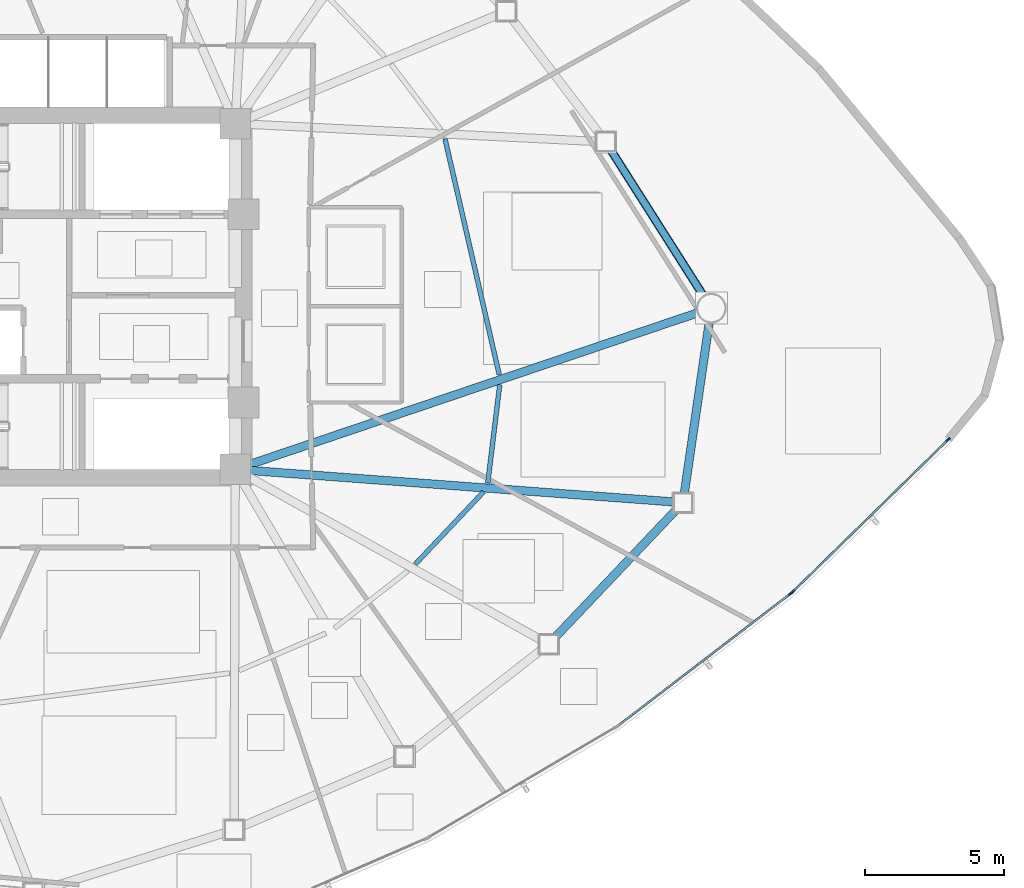
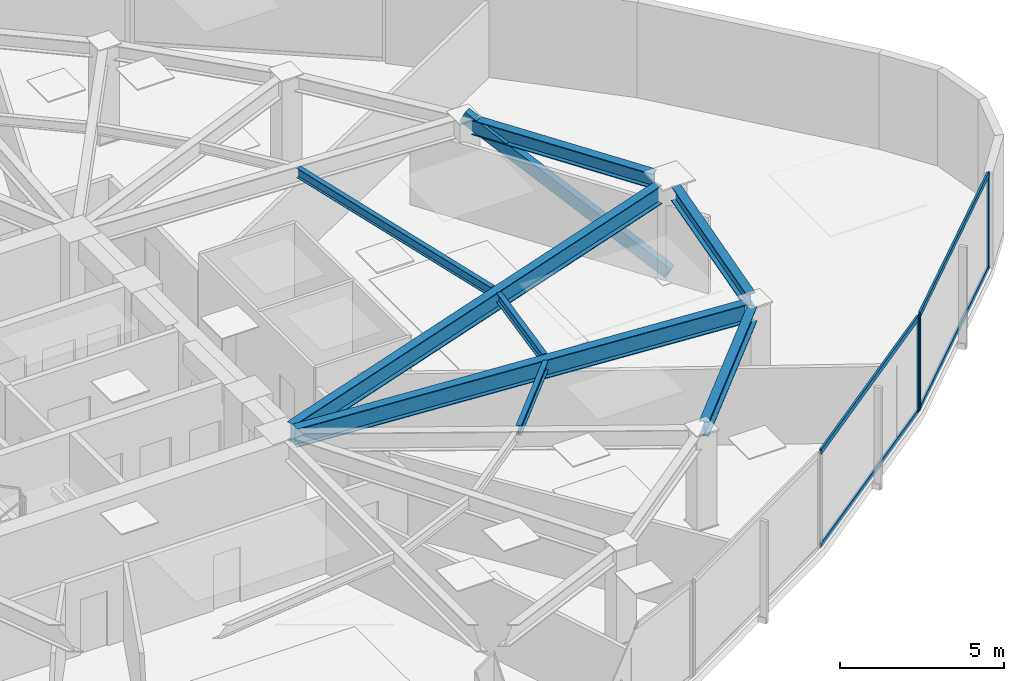
# One storey, part 6 of 18: 8 beams, 8 members, 2 elements without a shape of their own.
"""IFC4 building model written with IfcOpenShell, lengths in metres."""

import ifcopenshell
import ifcopenshell.guid

model = None  # the IFC model being written
_history = None  # IfcOwnerHistory: only IFC2X3 demands one
_inside = {}  # id of a spatial element -> (the spatial element, [elements in it])
_under = {}  # id of a project, library or spatial element -> (it, [spatial elements below it])
_declared = {}  # id of a project -> (the project, [libraries it declares])
_typed = {}  # id of a type object -> (the type object, [elements of that type])
_made_of = {}  # id of a material, layer set ... -> (it, [elements and type objects made of it])


def new_model(schema):
    """Start an empty IFC model of exactly this schema.

    Asked for "IFC4X3", IfcOpenShell would pick the latest addendum, in which some entities
    have other attributes; the version numbers below select the first issue.
    IFC2X3 requires an IfcOwnerHistory on every rooted entity: one is made here for all.
    """
    global model, _history
    if schema == "IFC4X3":
        model = ifcopenshell.file(schema_version=(4, 3, 0, 0))
    else:
        model = ifcopenshell.file(schema=schema)
    _inside.clear()
    _under.clear()
    _declared.clear()
    _typed.clear()
    _made_of.clear()
    _history = None
    if model.schema == "IFC2X3":
        org = make("IfcOrganization", Name="unknown")
        user = make(
            "IfcPersonAndOrganization",
            ThePerson=make("IfcPerson", FamilyName="unknown"),
            TheOrganization=org,
        )
        app = make(
            "IfcApplication",
            ApplicationDeveloper=org,
            Version="unknown",
            ApplicationFullName="unknown",
            ApplicationIdentifier="unknown",
        )
        _history = make(
            "IfcOwnerHistory",
            OwningUser=user,
            OwningApplication=app,
            ChangeAction="ADDED",
            CreationDate=0,
        )
    return model


def make(cls, **values):
    """One entity of the class cls with the attributes given. An attribute that is None is left unset."""
    return model.create_entity(
        cls, **{name: value for name, value in values.items() if value is not None}
    )


def rooted(cls, **values):
    """An entity with a GlobalId (a new one), such as an element, a storey or a relation."""
    return make(cls, GlobalId=ifcopenshell.guid.new(), OwnerHistory=_history, **values)


def si_unit(unit_type, name, prefix=None):
    """IfcSIUnit, for example si_unit("LENGTHUNIT", "METRE", prefix="MILLI")."""
    return make("IfcSIUnit", UnitType=unit_type, Prefix=prefix, Name=name)


def assignment(units):
    """IfcUnitAssignment: the units of a project."""
    return None if units is None else make("IfcUnitAssignment", Units=units)


def point(xyz):
    """IfcCartesianPoint."""
    return None if xyz is None else make("IfcCartesianPoint", Coordinates=xyz)


def direction(xyz):
    """IfcDirection."""
    return None if xyz is None else make("IfcDirection", DirectionRatios=xyz)


def frame(location, z_axis=None, x_axis=None):
    """IfcAxis2Placement3D, a coordinate frame: its origin and axes. An axis left out is left unset."""
    return make(
        "IfcAxis2Placement3D",
        Location=point(location),
        Axis=direction(z_axis),
        RefDirection=direction(x_axis),
    )


def frame_2d(location, x_axis=None):
    """IfcAxis2Placement2D, a coordinate frame in the plane: its origin and x axis."""
    return make(
        "IfcAxis2Placement2D", Location=point(location), RefDirection=direction(x_axis)
    )


def origin():
    """The frame at (0, 0, 0) with its axes left unset."""
    return frame((0.0, 0.0, 0.0))


def origin_2d():
    """The frame at (0, 0) in the plane with its x axis left unset."""
    return frame_2d((0.0, 0.0))


def place(relative_to, where):
    """IfcLocalPlacement: puts the frame where relative to a parent placement (None: the world)."""
    return make(
        "IfcLocalPlacement", PlacementRelTo=relative_to, RelativePlacement=where
    )


def context(
    kind, dimensions, precision=None, world=None, true_north=None, identifier=None
):
    """IfcGeometricRepresentationContext, for example the 3D "Model" context."""
    return make(
        "IfcGeometricRepresentationContext",
        ContextIdentifier=identifier,
        ContextType=kind,
        CoordinateSpaceDimension=dimensions,
        Precision=precision,
        WorldCoordinateSystem=world,
        TrueNorth=true_north,
    )


def subcontext(parent, identifier, kind, view, scale=None):
    """IfcGeometricRepresentationSubContext, for example "Body" below "Model"."""
    return make(
        "IfcGeometricRepresentationSubContext",
        ContextIdentifier=identifier,
        ContextType=kind,
        ParentContext=parent,
        TargetScale=scale,
        TargetView=view,
    )


def project(units=None, contexts=None):
    """IfcProject with its units and contexts."""
    return rooted(
        "IfcProject",
        Name="project",
        RepresentationContexts=contexts,
        UnitsInContext=assignment(units),
    )


def spatial(cls, under=None, at=None, **own):
    """A site, building, storey or space (cls), placed at a placement, below another one or the project."""
    s = rooted(cls, ObjectPlacement=at, **own)
    if under is not None:
        _under.setdefault(under.id(), (under, []))[1].append(s)
    return s


def profile(cls, at=None, kind="AREA", **sizes):
    """A parametric profile (cls). Its sizes go by their IFC names, for example OverallWidth=200.0."""
    return make(cls, ProfileType=kind, Position=at, **sizes)


def hollow_rectangle(**sizes):
    """IfcRectangleHollowProfileDef."""
    return profile("IfcRectangleHollowProfileDef", **sizes)


def i_section(**sizes):
    """IfcIShapeProfileDef."""
    return profile("IfcIShapeProfileDef", **sizes)


def extrude(swept, where, along, depth):
    """IfcExtrudedAreaSolid: the profile swept, set in the frame where, extruded along a direction by depth."""
    return make(
        "IfcExtrudedAreaSolid",
        SweptArea=swept,
        Position=where,
        ExtrudedDirection=direction(along),
        Depth=depth,
    )


def shape(context_of_items, identifier, shape_type, items):
    """IfcShapeRepresentation: the items that make up one representation, for example the "Body"."""
    return make(
        "IfcShapeRepresentation",
        ContextOfItems=context_of_items,
        RepresentationIdentifier=identifier,
        RepresentationType=shape_type,
        Items=items,
    )


def source(mapping_origin, context_of_items, identifier, shape_type, items):
    """IfcRepresentationMap: a shape defined once, which mapped items show again and again."""
    return make(
        "IfcRepresentationMap",
        MappingOrigin=mapping_origin,
        MappedRepresentation=shape(context_of_items, identifier, shape_type, items),
    )


def transform(
    local_origin,
    x_axis=None,
    y_axis=None,
    z_axis=None,
    scale=None,
    scale2=None,
    scale3=None,
    uniform=True,
):
    """IfcCartesianTransformationOperator3D, or its non-uniform kind. x_axis, y_axis, z_axis: its Axis1, 2, 3."""
    if uniform:
        return make(
            "IfcCartesianTransformationOperator3D",
            Axis1=direction(x_axis),
            Axis2=direction(y_axis),
            LocalOrigin=point(local_origin),
            Scale=scale,
            Axis3=direction(z_axis),
        )
    return make(
        "IfcCartesianTransformationOperator3DnonUniform",
        Axis1=direction(x_axis),
        Axis2=direction(y_axis),
        LocalOrigin=point(local_origin),
        Scale=scale,
        Axis3=direction(z_axis),
        Scale2=scale2,
        Scale3=scale3,
    )


def mapped(mapping_source, mapping_target):
    """IfcMappedItem: shows the shape of a source again, moved by a transform."""
    return make(
        "IfcMappedItem", MappingSource=mapping_source, MappingTarget=mapping_target
    )


def material(Name=None, Category=None):
    """IfcMaterial."""
    return make("IfcMaterial", Name=Name, Category=Category)


def layer(
    of_material, thickness, ventilated=None, Name=None, Category=None, Priority=None
):
    """IfcMaterialLayer: one layer of a wall or slab, of a material (None: an air gap)."""
    return make(
        "IfcMaterialLayer",
        Material=of_material,
        LayerThickness=thickness,
        IsVentilated=ventilated,
        Name=Name,
        Category=Category,
        Priority=Priority,
    )


def layer_set(layers, Name=None):
    """IfcMaterialLayerSet."""
    return make("IfcMaterialLayerSet", MaterialLayers=layers, LayerSetName=Name)


def material_profile(
    of_material, cross_section, Name=None, Category=None, Priority=None
):
    """IfcMaterialProfile: a cross section and its material."""
    return make(
        "IfcMaterialProfile",
        Name=Name,
        Material=of_material,
        Profile=cross_section,
        Priority=Priority,
        Category=Category,
    )


def profile_set(profiles, Name=None, composite=None):
    """IfcMaterialProfileSet."""
    return make(
        "IfcMaterialProfileSet",
        Name=Name,
        MaterialProfiles=profiles,
        CompositeProfile=composite,
    )


def made_of(thing, what):
    """Note that an element or type object is made of a material, layer set ...; save() writes the relation."""
    if what is not None:
        _made_of.setdefault(what.id(), (what, []))[1].append(thing)
    return thing


def type_object(cls, material=None, **own):
    """A type object (cls), such as IfcWallType, which elements share."""
    return made_of(rooted(cls, **own), material)


def type_shapes(of_type, sources):
    """Give a type object the sources (RepresentationMaps) that its elements show as mapped items."""
    of_type.RepresentationMaps = sources


def element(
    cls,
    number,
    at=None,
    inside=None,
    cuts=None,
    type_object=None,
    material=None,
    context=None,
    identifier="Body",
    shape_type=None,
    held_by="IfcProductDefinitionShape",
    body=None,
    shapes=None,
    **own,
):
    """One element of the class cls, such as IfcWall. Its Tag is "e" and its number.

    at: its placement. inside: the storey or other place that contains it. cuts: it is an
    opening in that element (IfcRelVoidsElement). A single representation is given by context,
    identifier, shape_type and body (its items); several are given by shapes. held_by: the class
    of the entity that holds the representations. save() writes the other relations.
    """
    e = rooted(cls, Tag="e%d" % number, ObjectPlacement=at, **own)
    if body is not None:
        shapes = [shape(context, identifier, shape_type, body)]
    if shapes is not None:
        e.Representation = make(held_by, Representations=shapes)
    if inside is not None:
        _inside.setdefault(inside.id(), (inside, []))[1].append(e)
    if cuts is not None:
        rooted(
            "IfcRelVoidsElement", RelatingBuildingElement=cuts, RelatedOpeningElement=e
        )
    if type_object is not None:
        _typed.setdefault(type_object.id(), (type_object, []))[1].append(e)
    return made_of(e, material)


def aggregate(whole, parts):
    """IfcRelAggregates: a whole, such as a stair, and the parts it consists of."""
    return rooted("IfcRelAggregates", RelatingObject=whole, RelatedObjects=parts)


def save(model, path):
    """Write the relations noted so far, then the file.

    IfcRelAggregates (storeys below a building ...), IfcRelContainedInSpatialStructure (elements
    in a storey), IfcRelDefinesByType, IfcRelAssociatesMaterial and IfcRelDeclares: one each for
    every whole, place, type object, material and project.
    """
    for whole, parts in _under.values():
        aggregate(whole, parts)
    for where, things in _inside.values():
        rooted(
            "IfcRelContainedInSpatialStructure",
            RelatedElements=things,
            RelatingStructure=where,
        )
    for kind, things in _typed.values():
        rooted("IfcRelDefinesByType", RelatedObjects=things, RelatingType=kind)
    for what, things in _made_of.values():
        rooted("IfcRelAssociatesMaterial", RelatedObjects=things, RelatingMaterial=what)
    for by, libraries in _declared.values():
        rooted("IfcRelDeclares", RelatingContext=by, RelatedDefinitions=libraries)
    model.write(path)


model = new_model("IFC4")

# Units and contexts
model_context = context("Model", 3, precision=1e-05, world=origin(), true_north=direction((0.0, 1.0)))
body_context = subcontext(model_context, "Body", "Model", "MODEL_VIEW")
ifc_project = project(units=[si_unit("LENGTHUNIT", "METRE"), si_unit("AREAUNIT", "SQUARE_METRE"), si_unit("VOLUMEUNIT", "CUBIC_METRE"), si_unit("PLANEANGLEUNIT", "RADIAN"), si_unit("MASSUNIT", "GRAM", prefix="KILO")], contexts=[model_context])

# Site, building, storey
site_placement = place(None, origin())
site = spatial("IfcSite", under=ifc_project, at=site_placement, CompositionType="ELEMENT")
building_placement = place(site_placement, origin())
building = spatial("IfcBuilding", under=site, at=building_placement, Name="Tavelor Broadcast Tower", CompositionType="ELEMENT")
storey_placement = place(building_placement, frame((0.0, 0.0, 146.39990234375)))
storey = spatial("IfcBuildingStorey", under=building, at=storey_placement, Name="L34", CompositionType="ELEMENT", Elevation=146.39990234375)

# Beams
ifc_material_1 = material(Name="Steel S355", Category="steel")
ifc_material_profile_1 = material_profile(ifc_material_1, i_section(OverallWidth=0.169921875, OverallDepth=0.360107421875, WebThickness=0.008056640625, FlangeThickness=0.0126953125, at=origin_2d()), Name="IPE 360")
ifc_profile_set_1 = profile_set([ifc_material_profile_1], Name="Steel S355")
beam_type_1 = type_object("IfcBeamType", Name="Composite Floor Joist T3 IPE 360", PredefinedType="JOIST", material=ifc_profile_set_1)
beam_1_placement = place(storey_placement, frame((63.05859375, 35.39990234375, 3.3701171875), z_axis=(0.686806065531, 0.726840717317, 0.0), x_axis=(-0.726840717317, 0.686806065531, 0.0)))
element("IfcBeam", 1, at=beam_1_placement, inside=storey, type_object=beam_type_1, Name="L34 Secondary Composite Floor Joist 11", PredefinedType="JOIST", context=body_context, shape_type="SweptSolid", body=[
    extrude(i_section(OverallWidth=0.169921875, OverallDepth=0.360107421875, WebThickness=0.008056640625, FlangeThickness=0.0126953125, at=origin_2d()), origin(), (0.0, 0.0, 1.0), 3.573486328125),
])
beam_2_placement = place(storey_placement, frame((65.6591796875, 38.30859375, 3.3701171875), z_axis=(0.120874566199, 0.992667788964, 0.0), x_axis=(-0.992667788964, 0.120874566199, 0.0)))
element("IfcBeam", 2, at=beam_2_placement, inside=storey, type_object=beam_type_1, Name="L34 Secondary Composite Floor Joist 12", PredefinedType="JOIST", context=body_context, shape_type="SweptSolid", body=[
    extrude(i_section(OverallWidth=0.169921875, OverallDepth=0.360107421875, WebThickness=0.008056640625, FlangeThickness=0.0126953125, at=origin_2d()), origin(), (0.0, 0.0, 1.0), 3.556884765625),
])
beam_3_placement = place(storey_placement, frame((66.0703125, 42.1953125, 3.3701171875), z_axis=(-0.224119909946, 0.974561576282, 0.0), x_axis=(-0.974561576282, -0.224119909946, 0.0)))
element("IfcBeam", 3, at=beam_3_placement, inside=storey, type_object=beam_type_1, Name="L34 Secondary Composite Floor Joist 13", PredefinedType="JOIST", context=body_context, shape_type="SweptSolid", body=[
    extrude(i_section(OverallWidth=0.169921875, OverallDepth=0.360107421875, WebThickness=0.008056640625, FlangeThickness=0.0126953125, at=origin_2d()), origin(), (0.0, 0.0, 1.0), 8.6796875),
])
ifc_material_profile_2 = material_profile(ifc_material_1, i_section(OverallWidth=0.300048828125, OverallDepth=0.550048828125, WebThickness=0.014892578125, FlangeThickness=0.029052734375, at=origin_2d()), Name="HEB 550")
ifc_profile_set_2 = profile_set([ifc_material_profile_2], Name="Steel S355")
beam_type_2 = type_object("IfcBeamType", Name="Perimeter Spandrel Beam T3 HEB 550", PredefinedType="SPANDREL", material=ifc_profile_set_2)
beam_4_placement = place(storey_placement, frame((68.073486328125, 32.775390625, 3.275146484375), z_axis=(0.688378130541, 0.72535201757, 0.0), x_axis=(-0.72535201757, 0.688378130541, 0.0)))
element("IfcBeam", 4, at=beam_4_placement, inside=storey, type_object=beam_type_2, Name="L34 Framed-Tube Ring Spandrel 11", PredefinedType="SPANDREL", context=body_context, shape_type="SweptSolid", body=[
    extrude(i_section(OverallWidth=0.300048828125, OverallDepth=0.550048828125, WebThickness=0.014892578125, FlangeThickness=0.029052734375, at=origin_2d()), origin(), (0.0, 0.0, 1.0), 6.32568359375),
])
beam_5_placement = place(storey_placement, frame((72.707763671875, 37.93994140625, 3.275146484375), z_axis=(0.144294035731, 0.989534856007, 0.0), x_axis=(-0.989534856007, 0.144294035731, 0.0)))
element("IfcBeam", 5, at=beam_5_placement, inside=storey, type_object=beam_type_2, Name="L34 Framed-Tube Ring Spandrel 12", PredefinedType="SPANDREL", context=body_context, shape_type="SweptSolid", body=[
    extrude(i_section(OverallWidth=0.300048828125, OverallDepth=0.550048828125, WebThickness=0.014892578125, FlangeThickness=0.029052734375, at=origin_2d()), origin(), (0.0, 0.0, 1.0), 6.19775390625),
])
beam_6_placement = place(storey_placement, frame((73.4013671875, 45.01171875, 3.275146484375), z_axis=(-0.536283466807, 0.844037939449, 0.0), x_axis=(-0.844037939449, -0.536283466807, 0.0)))
element("IfcBeam", 6, at=beam_6_placement, inside=storey, type_object=beam_type_2, Name="L34 Framed-Tube Ring Spandrel 13", PredefinedType="SPANDREL", context=body_context, shape_type="SweptSolid", body=[
    extrude(i_section(OverallWidth=0.300048828125, OverallDepth=0.550048828125, WebThickness=0.014892578125, FlangeThickness=0.029052734375, at=origin_2d()), origin(), (0.0, 0.0, 1.0), 6.21875),
])

# Member
ifc_material_profile_3 = material_profile(ifc_material_1, hollow_rectangle(XDim=0.25, YDim=0.449951171875, WallThickness=0.02001953125, at=origin_2d()), Name="RHS 450x250x20")
ifc_profile_set_3 = profile_set([ifc_material_profile_3], Name="Steel S355")
member_type_1 = type_object("IfcMemberType", Name="Perimeter Tube Brace T3 RHS 450x250x20", PredefinedType="BRACE", material=ifc_profile_set_3)
member_1_placement = place(storey_placement, frame((73.676025390625, 44.57958984375, 0.0), z_axis=(-0.479238755177, 0.754205232397, 0.448892729904), x_axis=(-0.844021198089, -0.536309814544, 0.0)))
element("IfcMember", 7, at=member_1_placement, inside=storey, type_object=member_type_1, Name="L34 Corner Tube Diagonal Brace 3", PredefinedType="BRACE", context=body_context, shape_type="SweptSolid", body=[
    extrude(hollow_rectangle(XDim=0.25, YDim=0.449951171875, WallThickness=0.02001953125, at=origin_2d()), origin(), (0.0, 0.0, 1.0), 7.908447265625),
])

# Beams
ifc_material_profile_4 = material_profile(ifc_material_1, i_section(OverallWidth=0.300048828125, OverallDepth=0.68994140625, WebThickness=0.014404296875, FlangeThickness=0.027099609375, at=origin_2d()), Name="HEA 700")
ifc_profile_set_4 = profile_set([ifc_material_profile_4], Name="Steel S355")
beam_type_3 = type_object("IfcBeamType", Name="Radial Floor Girder T3 HEA 700", PredefinedType="BEAM", material=ifc_profile_set_4)
beam_7_placement = place(storey_placement, frame((57.126708984375, 38.760986328125, 3.205078125), z_axis=(0.997253617312, -0.074062289721, 0.0), x_axis=(0.074062289721, 0.997253617312, 0.0)))
element("IfcBeam", 8, at=beam_7_placement, inside=storey, type_object=beam_type_3, Name="L34 Radial Primary Floor Girder 12", PredefinedType="BEAM", context=body_context, shape_type="SweptSolid", body=[
    extrude(i_section(OverallWidth=0.300048828125, OverallDepth=0.68994140625, WebThickness=0.014404296875, FlangeThickness=0.027099609375, at=origin_2d()), origin(), (0.0, 0.0, 1.0), 15.2392578125),
])
beam_8_placement = place(storey_placement, frame((57.10009765625, 38.96923828125, 3.205078125), z_axis=(0.947217379582, 0.32059200835, 0.0), x_axis=(-0.32059200835, 0.947217379582, 0.0)))
element("IfcBeam", 9, at=beam_8_placement, inside=storey, type_object=beam_type_3, Name="L34 Radial Primary Floor Girder 13", PredefinedType="BEAM", context=body_context, shape_type="SweptSolid", body=[
    extrude(i_section(OverallWidth=0.300048828125, OverallDepth=0.68994140625, WebThickness=0.014404296875, FlangeThickness=0.027099609375, at=origin_2d()), origin(), (0.0, 0.0, 1.0), 16.987548828125),
])

# Curtain wall, member
ifc_material_2 = material(Name="Architectural Anodized Aluminium", Category="aluminium")
ifc_layer = layer(ifc_material_2, 0.18994140625)
ifc_layer_set = layer_set([ifc_layer], Name="Architectural Anodized Aluminium")
curtain_wall_type = type_object("IfcCurtainWallType", Name="Tower Mid-Zone Acoustic Curtain Wall CW03", PredefinedType="NOTDEFINED", material=ifc_layer_set)
curtain_wall_1_placement = place(storey_placement, origin())
curtain_wall_1 = element("IfcCurtainWall", 10, at=curtain_wall_1_placement, inside=storey, type_object=curtain_wall_type, Name="L34 Curtain Wall CW03 Run 355", PredefinedType="NOTDEFINED")
ifc_material_profile_5 = material_profile(ifc_material_2, hollow_rectangle(XDim=0.068115234375, YDim=0.18994140625, WallThickness=0.02197265625, at=origin_2d()), Name="RHS 68x190x22")
ifc_profile_set_5 = profile_set([ifc_material_profile_5], Name="Architectural Anodized Aluminium")
member_type_2 = type_object("IfcMemberType", Name="CW03 Extruded Aluminium Mullion 68x190", PredefinedType="MULLION", material=ifc_profile_set_5)
shared_shape_1 = source(origin(), body_context, "Body", "SweptSolid", [
    extrude(hollow_rectangle(XDim=0.068115234375, YDim=0.18994140625, WallThickness=0.02197265625, at=origin_2d()), origin(), (0.0, 0.0, 1.0), 3.550048828125),
])
type_shapes(member_type_2, [shared_shape_1])
member_2_placement = place(storey_placement, frame((76.514404296875, 34.341064453125, 0.0), z_axis=(0.0, 0.0, 1.0), x_axis=(-0.607726021171, 0.794146764264, 0.0)))
member_2 = element("IfcMember", 11, at=member_2_placement, type_object=member_type_2, Name="CW03 mullion 2", PredefinedType="MULLION", context=body_context, shape_type="MappedRepresentation", body=[
    mapped(shared_shape_1, transform((0.0, 0.0, 0.0), scale=1.0)),
])

# Curtain wall, members
curtain_wall_2_placement = place(storey_placement, origin())
curtain_wall_2 = element("IfcCurtainWall", 12, at=curtain_wall_2_placement, inside=storey, type_object=curtain_wall_type, Name="L34 Curtain Wall CW03 Run 356", PredefinedType="NOTDEFINED")
member_3_placement = place(storey_placement, frame((76.58837890625, 34.4052734375, 0.0), z_axis=(0.0, 0.0, 1.0), x_axis=(-0.699365985174, 0.714763750327, 0.0)))
member_3 = element("IfcMember", 13, at=member_3_placement, type_object=member_type_2, Name="CW03 mullion 1", PredefinedType="MULLION", context=body_context, shape_type="MappedRepresentation", body=[
    mapped(shared_shape_1, transform((0.0, 0.0, 0.0), scale=1.0)),
])
member_4_placement = place(storey_placement, frame((82.165771484375, 39.862548828125, 0.0), z_axis=(0.0, 0.0, 1.0), x_axis=(-0.699365985174, 0.714763750327, 0.0)))
member_4 = element("IfcMember", 14, at=member_4_placement, type_object=member_type_2, Name="CW03 mullion 2", PredefinedType="MULLION", context=body_context, shape_type="MappedRepresentation", body=[
    mapped(shared_shape_1, transform((0.0, 0.0, 0.0), scale=1.0)),
])

# Member
ifc_material_profile_6 = material_profile(ifc_material_2, hollow_rectangle(XDim=0.068115234375, YDim=0.18994140625, WallThickness=0.02197265625, at=origin_2d()), Name="RHS 68x190x22")
ifc_profile_set_6 = profile_set([ifc_material_profile_6], Name="Architectural Anodized Aluminium")
member_type_3 = type_object("IfcMemberType", Name="CW03 Extruded Aluminium Transom 68x190", PredefinedType="USERDEFINED", material=ifc_profile_set_6)
shared_shape_2 = source(origin(), body_context, "Body", "SweptSolid", [
    extrude(hollow_rectangle(XDim=0.068115234375, YDim=0.18994140625, WallThickness=0.02197265625, at=origin_2d()), origin(), (0.0, 0.0, 1.0), 7.71923828125),
])
member_5_placement = place(storey_placement, frame((70.357177734375, 29.629150390625, 0.0341796875), z_axis=(0.794128858743, 0.60774941852, 0.0), x_axis=(-0.60774941852, 0.794128858743, 0.0)))
member_5 = element("IfcMember", 15, at=member_5_placement, type_object=member_type_3, Name="CW03 transom 1.1", ObjectType="TRANSOM", PredefinedType="USERDEFINED", context=body_context, shape_type="MappedRepresentation", body=[
    mapped(shared_shape_2, transform((0.0, 0.0, 0.0), scale=1.0)),
])

member_6_placement = place(storey_placement, frame((70.357177734375, 29.629150390625, 3.51611328125), z_axis=(0.794128858743, 0.60774941852, 0.0), x_axis=(-0.60774941852, 0.794128858743, 0.0)))
member_6 = element("IfcMember", 16, at=member_6_placement, type_object=member_type_3, Name="CW03 transom 1.2", ObjectType="TRANSOM", PredefinedType="USERDEFINED", context=body_context, shape_type="MappedRepresentation", body=[
    mapped(shared_shape_2, transform((0.0, 0.0, 0.0), scale=1.0)),
])

aggregate(curtain_wall_1, [member_2, member_5, member_6])

shared_shape_3 = source(origin(), body_context, "Body", "SweptSolid", [
    extrude(hollow_rectangle(XDim=0.068115234375, YDim=0.18994140625, WallThickness=0.02197265625, at=origin_2d()), origin(), (0.0, 0.0, 1.0), 7.7353515625),
])
type_shapes(member_type_3, [shared_shape_2, shared_shape_3])
member_7_placement = place(storey_placement, frame((76.612548828125, 34.428955078125, 0.0341796875), z_axis=(0.714781547495, 0.699347795708, 0.0), x_axis=(-0.699347795708, 0.714781547495, 0.0)))
member_7 = element("IfcMember", 17, at=member_7_placement, type_object=member_type_3, Name="CW03 transom 1.1", ObjectType="TRANSOM", PredefinedType="USERDEFINED", context=body_context, shape_type="MappedRepresentation", body=[
    mapped(shared_shape_3, transform((0.0, 0.0, 0.0), scale=1.0)),
])

member_8_placement = place(storey_placement, frame((76.612548828125, 34.428955078125, 3.51611328125), z_axis=(0.714781547495, 0.699347795708, 0.0), x_axis=(-0.699347795708, 0.714781547495, 0.0)))
member_8 = element("IfcMember", 18, at=member_8_placement, type_object=member_type_3, Name="CW03 transom 1.2", ObjectType="TRANSOM", PredefinedType="USERDEFINED", context=body_context, shape_type="MappedRepresentation", body=[
    mapped(shared_shape_3, transform((0.0, 0.0, 0.0), scale=1.0)),
])

aggregate(curtain_wall_2, [member_3, member_4, member_7, member_8])

save(model, "model.ifc")
